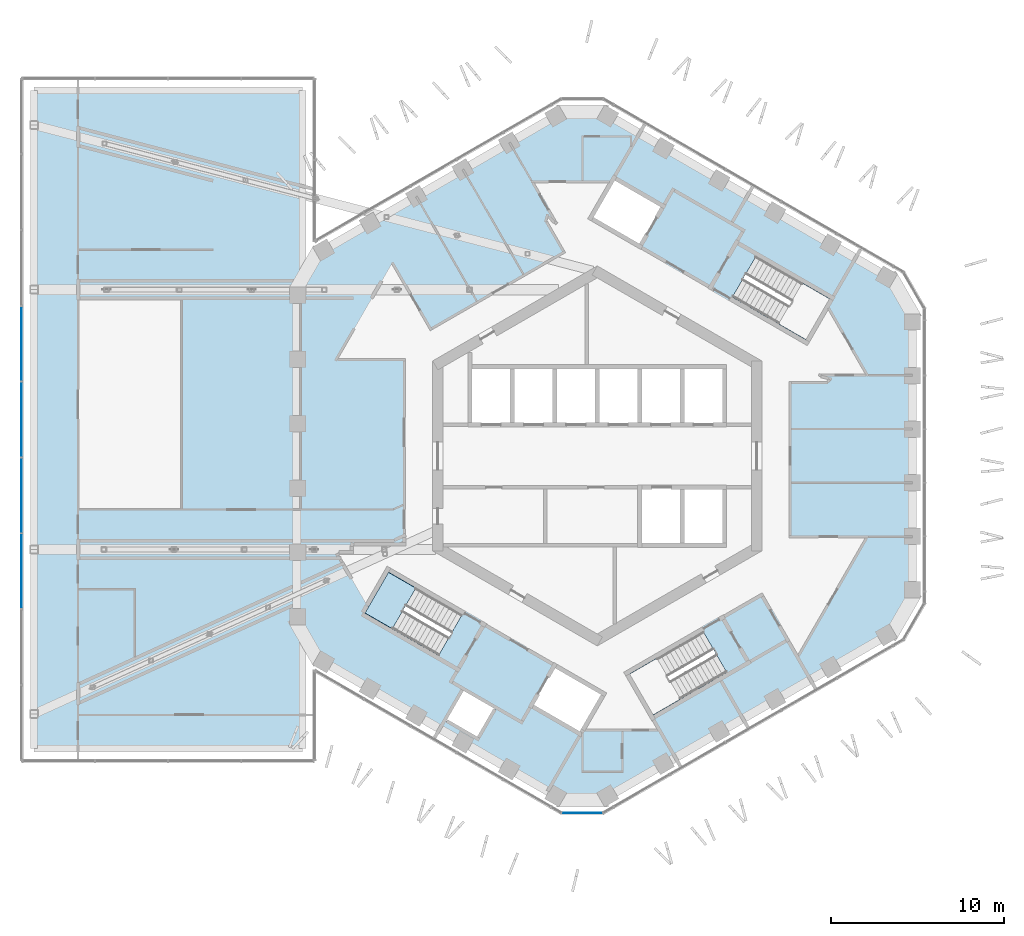
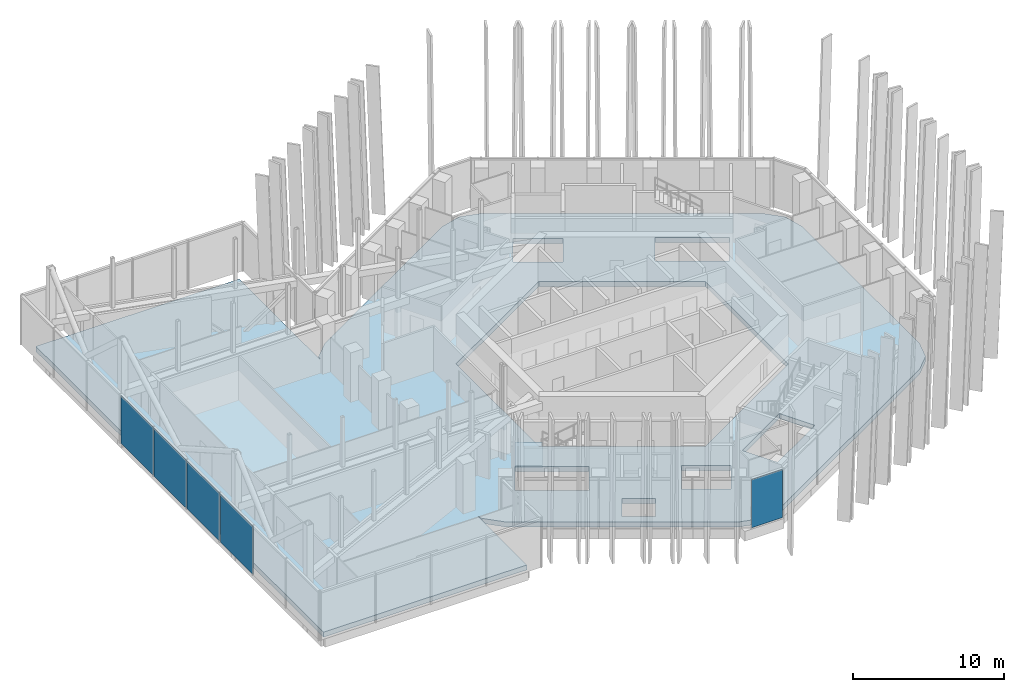
# One storey, part 13 of 28: 5 plates, 2 slabs, 3 elements without a shape of their own.
"""IFC4 building model written with IfcOpenShell, lengths in metres."""

from ifc_helpers import new_model, si_unit, direction, frame, origin, origin_2d, place, context, subcontext, project, spatial, polyline, rectangle, outline, extrude, material, layer, layer_set, type_object, element, aggregate, save


model = new_model("IFC4")

# Units and contexts
model_context = context("Model", 3, precision=1e-05, world=origin(), true_north=direction((0.0, 1.0)))
body_context = subcontext(model_context, "Body", "Model", "MODEL_VIEW")
ifc_project = project(units=[si_unit("LENGTHUNIT", "METRE"), si_unit("AREAUNIT", "SQUARE_METRE"), si_unit("VOLUMEUNIT", "CUBIC_METRE"), si_unit("PLANEANGLEUNIT", "RADIAN"), si_unit("MASSUNIT", "GRAM", prefix="KILO")], contexts=[model_context])

# Site, building, storey
site_placement = place(None, origin())
site = spatial("IfcSite", under=ifc_project, at=site_placement, CompositionType="ELEMENT")
building_placement = place(site_placement, origin())
building = spatial("IfcBuilding", under=site, at=building_placement, Name="Ayvan Gate Tower", CompositionType="ELEMENT")
storey_placement = place(building_placement, frame((0.0, 0.0, 202.10009765625)))
storey = spatial("IfcBuildingStorey", under=building, at=storey_placement, Name="L54", CompositionType="ELEMENT", Elevation=202.10009765625)

# Slab
ifc_material_1 = material(Name="Concrete C40/50", Category="concrete")
ifc_layer_1 = layer(ifc_material_1, 0.39990234375)
ifc_layer_set_1 = layer_set([ifc_layer_1], Name="Concrete C40/50")
slab_type_1 = type_object("IfcSlabType", Name="Post-tensioned flat slab 400", PredefinedType="FLOOR", material=ifc_layer_set_1)
slab_1_placement = place(storey_placement, frame((0.0, 0.0, -0.400146484375)))
element("IfcSlab", 1, at=slab_1_placement, inside=storey, type_object=slab_type_1, Name="SL-L54", PredefinedType="FLOOR", context=body_context, shape_type="SweptSolid", body=[
    extrude(outline(polyline([(-2.3623046875, -19.63623046875), (-15.82421875, -11.86376953125), (-16.92236328125, -10.765869140625), (-17.024169921875, -10.385498046875), (-17.024169921875, -16.89990234375), (-32.524169921875, -16.89990234375), (-32.524169921875, 21.10009765625), (-17.024169921875, 21.10009765625), (-17.024169921875, 10.385498046875), (-16.92236328125, 10.765869140625), (-15.82421875, 11.86376953125), (-2.3623046875, 19.63623046875), (-0.8623046875, 20.0380859375), (0.6376953125, 19.63623046875), (16.6865234375, 10.370361328125), (17.78466796875, 9.272216796875), (18.1865234375, 7.772216796875), (18.1865234375, -7.772216796875), (17.78466796875, -9.272216796875), (16.6865234375, -10.370361328125), (0.6376953125, -19.63623046875), (-0.8623046875, -20.0380859375), (-2.3623046875, -19.63623046875)]), holes=[polyline([(13.404541015625, 9.0673828125), (9.1611328125, 11.517578125), (7.80615234375, 9.170654296875), (12.049560546875, 6.720458984375), (13.404541015625, 9.0673828125)]), polyline([(0.0, 10.9697265625), (-9.5, 5.48486328125), (-9.5, -5.48486328125), (0.0, -10.9697265625), (9.5, -5.48486328125), (9.5, 5.48486328125), (0.0, 10.9697265625)]), polyline([(3.228759765625, -14.9423828125), (7.472412109375, -12.492431640625), (6.117431640625, -10.1455078125), (1.873779296875, -12.595458984375), (3.228759765625, -14.9423828125)]), polyline([(-0.385498046875, 13.732421875), (1.52734375, 12.628173828125), (2.472412109375, 12.08251953125), (3.822509765625, 14.420654296875), (0.964599609375, 16.07080078125), (0.033935546875, 14.45849609375), (-0.2353515625, 13.9921875), (-0.291015625, 13.89599609375), (-0.385498046875, 13.732421875)]), polyline([(0.385498046875, -13.732421875), (-2.472412109375, -12.08251953125), (-3.822509765625, -14.420654296875), (-0.964599609375, -16.07080078125), (-0.830322265625, -15.838134765625), (0.385498046875, -13.732421875)]), polyline([(-6.894775390625, -16.342041015625), (-5.8447265625, -14.5234375), (-7.75, -13.42333984375), (-8.800048828125, -15.241943359375), (-6.894775390625, -16.342041015625)]), polyline([(-7.80615234375, -9.170654296875), (-12.049560546875, -6.720458984375), (-13.404541015625, -9.0673828125), (-9.1611328125, -11.517578125), (-7.80615234375, -9.170654296875)])]), origin(), (0.0, 0.0, 1.0), 0.400146484375),
])

# Stair, slab
stair_type = type_object("IfcStairType", Name="ST-EXIT", PredefinedType="HALF_TURN_STAIR", material=ifc_material_1)
stair_placement = place(storey_placement, origin())
stair = element("IfcStair", 2, at=stair_placement, inside=storey, type_object=stair_type, Name="L54 Exit Stair S2", PredefinedType="HALF_TURN_STAIR")
ifc_layer_2 = layer(ifc_material_1, 0.199951171875)
ifc_layer_set_2 = layer_set([ifc_layer_2], Name="Concrete C40/50")
slab_type_2 = type_object("IfcSlabType", Name="SL-LANDING-200", PredefinedType="LANDING", material=ifc_layer_set_2)
slab_2_placement = place(storey_placement, frame((0.0, 0.0, 1.7998046875)))
slab_2 = element("IfcSlab", 3, at=slab_2_placement, type_object=slab_type_2, Name="STS2 landing 1", PredefinedType="LANDING", context=body_context, shape_type="SweptSolid", body=[
    extrude(outline(polyline([(-10.473388671875, -7.630615234375), (-12.049560546875, -6.720458984375), (-13.404541015625, -9.0673828125), (-11.828369140625, -9.9775390625), (-10.473388671875, -7.630615234375)])), origin(), (0.0, 0.0, 1.0), 0.2001953125),
])
aggregate(stair, [slab_2])

# Curtain wall, plates
ifc_material_2 = material(Name="Bronze anodised aluminium", Category="aluminium")
ifc_layer_3 = layer(ifc_material_2, 0.199951171875)
ifc_layer_set_3 = layer_set([ifc_layer_3], Name="Bronze anodised aluminium")
curtain_wall_type_1 = type_object("IfcCurtainWallType", Name="Stick curtain wall CW-4", PredefinedType="NOTDEFINED", material=ifc_layer_set_3)
curtain_wall_1_placement = place(storey_placement, origin())
curtain_wall_1 = element("IfcCurtainWall", 4, at=curtain_wall_1_placement, inside=storey, type_object=curtain_wall_type_1, Name="Stick curtain wall CW-4 L54", PredefinedType="NOTDEFINED")
ifc_material_3 = material(Name="Pale anodised aluminium composite panel", Category="aluminium")
ifc_layer_4 = layer(ifc_material_3, 0.028076171875)
ifc_layer_set_4 = layer_set([ifc_layer_4], Name="Pale anodised aluminium composite panel")
plate_type_1 = type_object("IfcPlateType", Name="Stick curtain wall CW-4 solid panel", PredefinedType="CURTAIN_PANEL", material=ifc_layer_set_4)
plate_1_placement = place(storey_placement, frame((-33.224365234375, 6.477783203125, 0.0), z_axis=(0.0, 0.0, 1.0), x_axis=(0.0, -1.0, 0.0)))
plate_1 = element("IfcPlate", 5, at=plate_1_placement, type_object=plate_type_1, Name="CW-4 solid panel 4", PredefinedType="CURTAIN_PANEL", context=body_context, shape_type="SweptSolid", body=[
    extrude(rectangle(XDim=4.2978515625, YDim=0.028076171875, at=origin_2d()), origin(), (0.0, 0.0, 1.0), 3.860107421875),
])
plate_2_placement = place(storey_placement, frame((-33.224365234375, 2.10009765625, 0.0), z_axis=(0.0, 0.0, 1.0), x_axis=(0.0, -1.0, 0.0)))
plate_2 = element("IfcPlate", 6, at=plate_2_placement, type_object=plate_type_1, Name="CW-4 solid panel 5", PredefinedType="CURTAIN_PANEL", context=body_context, shape_type="SweptSolid", body=[
    extrude(rectangle(XDim=4.2978515625, YDim=0.028076171875, at=origin_2d()), origin(), (0.0, 0.0, 1.0), 3.860107421875),
])
plate_3_placement = place(storey_placement, frame((-33.224365234375, -2.27783203125, 0.0), z_axis=(0.0, 0.0, 1.0), x_axis=(0.0, -1.0, 0.0)))
plate_3 = element("IfcPlate", 7, at=plate_3_placement, type_object=plate_type_1, Name="CW-4 solid panel 6", PredefinedType="CURTAIN_PANEL", context=body_context, shape_type="SweptSolid", body=[
    extrude(rectangle(XDim=4.2978515625, YDim=0.028076171875, at=origin_2d()), origin(), (0.0, 0.0, 1.0), 3.860107421875),
])
plate_4_placement = place(storey_placement, frame((-33.224365234375, -6.655517578125, 0.0), z_axis=(0.0, 0.0, 1.0), x_axis=(0.0, -1.0, 0.0)))
plate_4 = element("IfcPlate", 8, at=plate_4_placement, type_object=plate_type_1, Name="CW-4 solid panel 7", PredefinedType="CURTAIN_PANEL", context=body_context, shape_type="SweptSolid", body=[
    extrude(rectangle(XDim=4.2978515625, YDim=0.028076171875, at=origin_2d()), origin(), (0.0, 0.0, 1.0), 3.860107421875),
])
aggregate(curtain_wall_1, [plate_1, plate_2, plate_3, plate_4])

# Curtain wall, plate
ifc_layer_5 = layer(ifc_material_2, 0.199951171875)
ifc_layer_set_5 = layer_set([ifc_layer_5], Name="Bronze anodised aluminium")
curtain_wall_type_2 = type_object("IfcCurtainWallType", Name="Stick curtain wall CW-6", PredefinedType="NOTDEFINED", material=ifc_layer_set_5)
curtain_wall_2_placement = place(storey_placement, origin())
curtain_wall_2 = element("IfcCurtainWall", 9, at=curtain_wall_2_placement, inside=storey, type_object=curtain_wall_type_2, Name="Stick curtain wall CW-6 L54", PredefinedType="NOTDEFINED")
ifc_material_4 = material(Name="Clear low-iron laminated glass", Category="glass")
ifc_layer_6 = layer(ifc_material_4, 0.028076171875)
ifc_layer_set_6 = layer_set([ifc_layer_6], Name="Clear low-iron laminated glass")
plate_type_2 = type_object("IfcPlateType", Name="Stick curtain wall CW-6 glass panel", PredefinedType="CURTAIN_PANEL", material=ifc_layer_set_6)
plate_5_placement = place(storey_placement, frame((-0.8623046875, -20.613525390625, 0.0), z_axis=(0.0, 0.0, 1.0), x_axis=(1.0, 0.0, 0.0)))
plate_5 = element("IfcPlate", 10, at=plate_5_placement, type_object=plate_type_2, Name="CW-6 glass panel 2", PredefinedType="CURTAIN_PANEL", context=body_context, shape_type="SweptSolid", body=[
    extrude(rectangle(XDim=2.364501953125, YDim=0.028076171875, at=origin_2d()), origin(), (0.0, 0.0, 1.0), 3.8798828125),
])
aggregate(curtain_wall_2, [plate_5])

save(model, "model.ifc")
